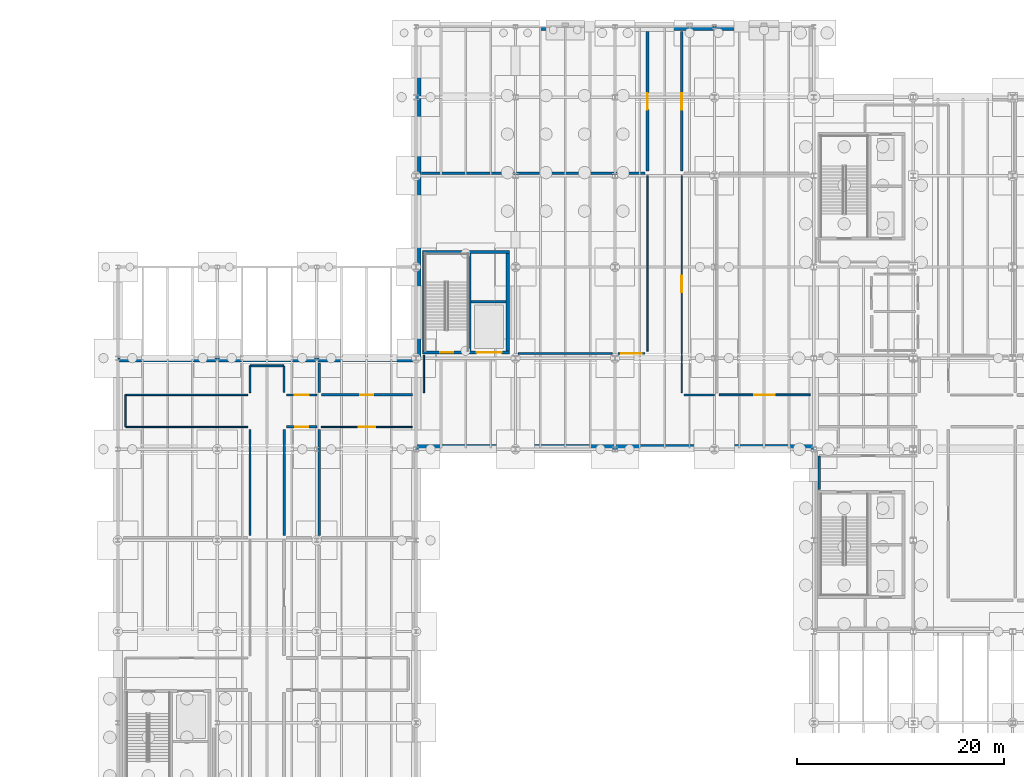
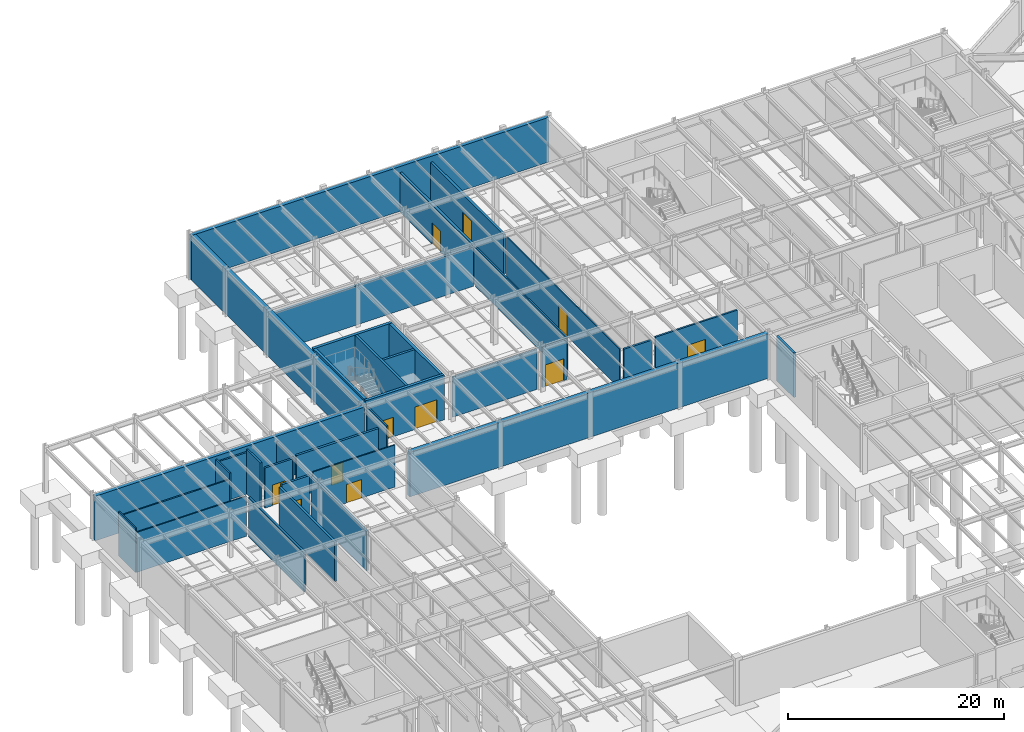
# One storey, part 34 of 48: 35 walls, 11 doors, 11 openings.
"""IFC4 building model written with IfcOpenShell, lengths in metres."""

import ifcopenshell
import ifcopenshell.guid

model = None  # the IFC model being written
_history = None  # IfcOwnerHistory: only IFC2X3 demands one
_inside = {}  # id of a spatial element -> (the spatial element, [elements in it])
_under = {}  # id of a project, library or spatial element -> (it, [spatial elements below it])
_declared = {}  # id of a project -> (the project, [libraries it declares])
_typed = {}  # id of a type object -> (the type object, [elements of that type])
_made_of = {}  # id of a material, layer set ... -> (it, [elements and type objects made of it])


def new_model(schema):
    """Start an empty IFC model of exactly this schema.

    Asked for "IFC4X3", IfcOpenShell would pick the latest addendum, in which some entities
    have other attributes; the version numbers below select the first issue.
    IFC2X3 requires an IfcOwnerHistory on every rooted entity: one is made here for all.
    """
    global model, _history
    if schema == "IFC4X3":
        model = ifcopenshell.file(schema_version=(4, 3, 0, 0))
    else:
        model = ifcopenshell.file(schema=schema)
    _inside.clear()
    _under.clear()
    _declared.clear()
    _typed.clear()
    _made_of.clear()
    _history = None
    if model.schema == "IFC2X3":
        org = make("IfcOrganization", Name="unknown")
        user = make(
            "IfcPersonAndOrganization",
            ThePerson=make("IfcPerson", FamilyName="unknown"),
            TheOrganization=org,
        )
        app = make(
            "IfcApplication",
            ApplicationDeveloper=org,
            Version="unknown",
            ApplicationFullName="unknown",
            ApplicationIdentifier="unknown",
        )
        _history = make(
            "IfcOwnerHistory",
            OwningUser=user,
            OwningApplication=app,
            ChangeAction="ADDED",
            CreationDate=0,
        )
    return model


def make(cls, **values):
    """One entity of the class cls with the attributes given. An attribute that is None is left unset."""
    return model.create_entity(
        cls, **{name: value for name, value in values.items() if value is not None}
    )


def rooted(cls, **values):
    """An entity with a GlobalId (a new one), such as an element, a storey or a relation."""
    return make(cls, GlobalId=ifcopenshell.guid.new(), OwnerHistory=_history, **values)


def si_unit(unit_type, name, prefix=None):
    """IfcSIUnit, for example si_unit("LENGTHUNIT", "METRE", prefix="MILLI")."""
    return make("IfcSIUnit", UnitType=unit_type, Prefix=prefix, Name=name)


def assignment(units):
    """IfcUnitAssignment: the units of a project."""
    return None if units is None else make("IfcUnitAssignment", Units=units)


def point(xyz):
    """IfcCartesianPoint."""
    return None if xyz is None else make("IfcCartesianPoint", Coordinates=xyz)


def direction(xyz):
    """IfcDirection."""
    return None if xyz is None else make("IfcDirection", DirectionRatios=xyz)


def frame(location, z_axis=None, x_axis=None):
    """IfcAxis2Placement3D, a coordinate frame: its origin and axes. An axis left out is left unset."""
    return make(
        "IfcAxis2Placement3D",
        Location=point(location),
        Axis=direction(z_axis),
        RefDirection=direction(x_axis),
    )


def frame_2d(location, x_axis=None):
    """IfcAxis2Placement2D, a coordinate frame in the plane: its origin and x axis."""
    return make(
        "IfcAxis2Placement2D", Location=point(location), RefDirection=direction(x_axis)
    )


def origin():
    """The frame at (0, 0, 0) with its axes left unset."""
    return frame((0.0, 0.0, 0.0))


def place(relative_to, where):
    """IfcLocalPlacement: puts the frame where relative to a parent placement (None: the world)."""
    return make(
        "IfcLocalPlacement", PlacementRelTo=relative_to, RelativePlacement=where
    )


def context(
    kind, dimensions, precision=None, world=None, true_north=None, identifier=None
):
    """IfcGeometricRepresentationContext, for example the 3D "Model" context."""
    return make(
        "IfcGeometricRepresentationContext",
        ContextIdentifier=identifier,
        ContextType=kind,
        CoordinateSpaceDimension=dimensions,
        Precision=precision,
        WorldCoordinateSystem=world,
        TrueNorth=true_north,
    )


def subcontext(parent, identifier, kind, view, scale=None):
    """IfcGeometricRepresentationSubContext, for example "Body" below "Model"."""
    return make(
        "IfcGeometricRepresentationSubContext",
        ContextIdentifier=identifier,
        ContextType=kind,
        ParentContext=parent,
        TargetScale=scale,
        TargetView=view,
    )


def project(units=None, contexts=None):
    """IfcProject with its units and contexts."""
    return rooted(
        "IfcProject",
        Name="project",
        RepresentationContexts=contexts,
        UnitsInContext=assignment(units),
    )


def spatial(cls, under=None, at=None, **own):
    """A site, building, storey or space (cls), placed at a placement, below another one or the project."""
    s = rooted(cls, ObjectPlacement=at, **own)
    if under is not None:
        _under.setdefault(under.id(), (under, []))[1].append(s)
    return s


def profile(cls, at=None, kind="AREA", **sizes):
    """A parametric profile (cls). Its sizes go by their IFC names, for example OverallWidth=200.0."""
    return make(cls, ProfileType=kind, Position=at, **sizes)


def rectangle(**sizes):
    """IfcRectangleProfileDef."""
    return profile("IfcRectangleProfileDef", **sizes)


def extrude(swept, where, along, depth):
    """IfcExtrudedAreaSolid: the profile swept, set in the frame where, extruded along a direction by depth."""
    return make(
        "IfcExtrudedAreaSolid",
        SweptArea=swept,
        Position=where,
        ExtrudedDirection=direction(along),
        Depth=depth,
    )


def shape(context_of_items, identifier, shape_type, items):
    """IfcShapeRepresentation: the items that make up one representation, for example the "Body"."""
    return make(
        "IfcShapeRepresentation",
        ContextOfItems=context_of_items,
        RepresentationIdentifier=identifier,
        RepresentationType=shape_type,
        Items=items,
    )


def material(Name=None, Category=None):
    """IfcMaterial."""
    return make("IfcMaterial", Name=Name, Category=Category)


def layer(
    of_material, thickness, ventilated=None, Name=None, Category=None, Priority=None
):
    """IfcMaterialLayer: one layer of a wall or slab, of a material (None: an air gap)."""
    return make(
        "IfcMaterialLayer",
        Material=of_material,
        LayerThickness=thickness,
        IsVentilated=ventilated,
        Name=Name,
        Category=Category,
        Priority=Priority,
    )


def layer_set(layers, Name=None):
    """IfcMaterialLayerSet."""
    return make("IfcMaterialLayerSet", MaterialLayers=layers, LayerSetName=Name)


def made_of(thing, what):
    """Note that an element or type object is made of a material, layer set ...; save() writes the relation."""
    if what is not None:
        _made_of.setdefault(what.id(), (what, []))[1].append(thing)
    return thing


def type_object(cls, material=None, **own):
    """A type object (cls), such as IfcWallType, which elements share."""
    return made_of(rooted(cls, **own), material)


def element(
    cls,
    number,
    at=None,
    inside=None,
    cuts=None,
    type_object=None,
    material=None,
    context=None,
    identifier="Body",
    shape_type=None,
    held_by="IfcProductDefinitionShape",
    body=None,
    shapes=None,
    **own,
):
    """One element of the class cls, such as IfcWall. Its Tag is "e" and its number.

    at: its placement. inside: the storey or other place that contains it. cuts: it is an
    opening in that element (IfcRelVoidsElement). A single representation is given by context,
    identifier, shape_type and body (its items); several are given by shapes. held_by: the class
    of the entity that holds the representations. save() writes the other relations.
    """
    e = rooted(cls, Tag="e%d" % number, ObjectPlacement=at, **own)
    if body is not None:
        shapes = [shape(context, identifier, shape_type, body)]
    if shapes is not None:
        e.Representation = make(held_by, Representations=shapes)
    if inside is not None:
        _inside.setdefault(inside.id(), (inside, []))[1].append(e)
    if cuts is not None:
        rooted(
            "IfcRelVoidsElement", RelatingBuildingElement=cuts, RelatedOpeningElement=e
        )
    if type_object is not None:
        _typed.setdefault(type_object.id(), (type_object, []))[1].append(e)
    return made_of(e, material)


def fill(opening, filler):
    """IfcRelFillsElement: the door or window that sits in an opening."""
    return rooted(
        "IfcRelFillsElement",
        RelatingOpeningElement=opening,
        RelatedBuildingElement=filler,
    )


def aggregate(whole, parts):
    """IfcRelAggregates: a whole, such as a stair, and the parts it consists of."""
    return rooted("IfcRelAggregates", RelatingObject=whole, RelatedObjects=parts)


def save(model, path):
    """Write the relations noted so far, then the file.

    IfcRelAggregates (storeys below a building ...), IfcRelContainedInSpatialStructure (elements
    in a storey), IfcRelDefinesByType, IfcRelAssociatesMaterial and IfcRelDeclares: one each for
    every whole, place, type object, material and project.
    """
    for whole, parts in _under.values():
        aggregate(whole, parts)
    for where, things in _inside.values():
        rooted(
            "IfcRelContainedInSpatialStructure",
            RelatedElements=things,
            RelatingStructure=where,
        )
    for kind, things in _typed.values():
        rooted("IfcRelDefinesByType", RelatedObjects=things, RelatingType=kind)
    for what, things in _made_of.values():
        rooted("IfcRelAssociatesMaterial", RelatedObjects=things, RelatingMaterial=what)
    for by, libraries in _declared.values():
        rooted("IfcRelDeclares", RelatingContext=by, RelatedDefinitions=libraries)
    model.write(path)


model = new_model("IFC4")

# Units and contexts
model_context = context("Model", 3, precision=1e-05, world=origin(), true_north=direction((0.0, 1.0)))
body_context = subcontext(model_context, "Body", "Model", "MODEL_VIEW")
ifc_project = project(units=[si_unit("LENGTHUNIT", "METRE"), si_unit("AREAUNIT", "SQUARE_METRE"), si_unit("VOLUMEUNIT", "CUBIC_METRE"), si_unit("PLANEANGLEUNIT", "RADIAN"), si_unit("MASSUNIT", "GRAM", prefix="KILO")], contexts=[model_context])

# Site, building, storey
site_placement = place(None, origin())
site = spatial("IfcSite", under=ifc_project, at=site_placement, CompositionType="ELEMENT")
building_placement = place(site_placement, origin())
building = spatial("IfcBuilding", under=site, at=building_placement, Name="Sarnbrook Museum", CompositionType="ELEMENT")
storey_placement = place(building_placement, frame((0.0, 0.0, -5.39990234375)))
storey = spatial("IfcBuildingStorey", under=building, at=storey_placement, Name="B1", CompositionType="ELEMENT", Elevation=-5.39990234375)

# Wall, openings, doors
ifc_material_1 = material(Name="Concrete N50 (AS 3600, f'c = 50 MPa)", Category="concrete")
ifc_layer_1 = layer(ifc_material_1, 0.300048828125)
ifc_layer_set_1 = layer_set([ifc_layer_1], Name="Concrete N50 (AS 3600, f'c = 50 MPa)")
wall_type_1 = type_object("IfcWallType", Name="CoreWall_CWRC", PredefinedType="SHEAR", material=ifc_layer_set_1)
wall_1_placement = place(storey_placement, frame((43.0, 83.75, 0.0), z_axis=(0.0, 0.0, 1.0), x_axis=(1.0, 0.0, 0.0)))
wall_1 = element("IfcWall", 1, at=wall_1_placement, inside=storey, type_object=wall_type_1, Name="Core C6 Shear Wall S B1", PredefinedType="SHEAR", context=body_context, shape_type="SweptSolid", body=[
    extrude(rectangle(XDim=8.39990234375, YDim=0.300048828125, at=frame_2d((4.199951171875, 0.0))), origin(), (0.0, 0.0, 1.0), 5.0849609375),
])
opening_1_placement = place(wall_1_placement, frame((1.715087890625, 0.0, 0.0)))
opening_1 = element("IfcOpeningElement", 2, at=opening_1_placement, cuts=wall_1, Name="Opening D-ST-ST6-B1", PredefinedType="OPENING", context=body_context, shape_type="SweptSolid", body=[
    extrude(rectangle(XDim=1.25, YDim=2.199951171875, at=frame_2d((0.625, 1.10009765625))), frame((0.0, 0.16015625, 0.0), z_axis=(0.0, -1.0, 0.0), x_axis=(1.0, 0.0, 0.0)), (0.0, 0.0, 1.0), 0.320068359375),
])
opening_2_placement = place(wall_1_placement, frame((5.25, 0.0, 0.0)))
opening_2 = element("IfcOpeningElement", 3, at=opening_2_placement, cuts=wall_1, Name="Opening LD-GL2-B1", PredefinedType="OPENING", context=body_context, shape_type="SweptSolid", body=[
    extrude(rectangle(XDim=2.39990234375, YDim=2.550048828125, at=frame_2d((1.199951171875, 1.27490234375))), frame((0.0, 0.16015625, 0.0), z_axis=(0.0, -1.0, 0.0), x_axis=(1.0, 0.0, 0.0)), (0.0, 0.0, 1.0), 0.320068359375),
])
ifc_material_2 = material(Name="Tasmanian Oak Acoustic Timber", Category="wood")
door_type_1 = type_object("IfcDoorType", Name="FireDoor_FD120", OperationType="NOTDEFINED", PredefinedType="DOOR", material=ifc_material_2)
door_1_placement = place(opening_1_placement, origin())
door_1 = element("IfcDoor", 4, at=door_1_placement, inside=storey, type_object=door_type_1, Name="Exit Stair ST6 Fire Door B1", OperationType="SINGLE_SWING_RIGHT", OverallHeight=2.199951171875, OverallWidth=1.25, PredefinedType="DOOR", context=body_context, shape_type="SweptSolid", body=[
    extrude(rectangle(XDim=1.25, YDim=2.199951171875, at=frame_2d((0.625, 1.10009765625))), frame((0.0, 0.02490234375, 0.0), z_axis=(0.0, -1.0, 0.0), x_axis=(1.0, 0.0, 0.0)), (0.0, 0.0, 1.0), 0.050048828125),
])
fill(opening_1, door_1)
ifc_material_3 = material(Name="Brushed Stainless Steel Grade 316", Category="steel")
door_type_2 = type_object("IfcDoorType", Name="LiftDoor_Goods240", OperationType="DOUBLE_DOOR_SLIDING", PredefinedType="DOOR", material=ifc_material_3)
door_2_placement = place(opening_2_placement, origin())
door_2 = element("IfcDoor", 5, at=door_2_placement, inside=storey, type_object=door_type_2, Name="Lift Landing Sliding Door LD-GL2-B1", OperationType="DOUBLE_DOOR_SLIDING", OverallHeight=2.550048828125, OverallWidth=2.39990234375, PredefinedType="DOOR", context=body_context, shape_type="SweptSolid", body=[
    extrude(rectangle(XDim=2.39990234375, YDim=2.550048828125, at=frame_2d((1.199951171875, 1.27490234375))), frame((0.0, 0.02490234375, 0.0), z_axis=(0.0, -1.0, 0.0), x_axis=(1.0, 0.0, 0.0)), (0.0, 0.0, 1.0), 0.050048828125),
])
fill(opening_2, door_2)

# Walls
wall_2_placement = place(storey_placement, frame((51.39990234375, 93.449951171875, 0.0), z_axis=(0.0, 0.0, 1.0), x_axis=(-1.0, 0.0, 0.0)))
element("IfcWall", 6, at=wall_2_placement, inside=storey, type_object=wall_type_1, Name="Core C6 Shear Wall N B1", PredefinedType="SHEAR", context=body_context, shape_type="SweptSolid", body=[
    extrude(rectangle(XDim=8.39990234375, YDim=0.300048828125, at=frame_2d((4.199951171875, 0.0))), origin(), (0.0, 0.0, 1.0), 5.0849609375),
])
for number, where, z_axis, x_axis, name in (
    (7, (51.25, 83.909912109375, 0.0), (0.0, 0.0, 1.0), (0.0, 1.0, 0.0), "Core C6 Shear Wall E B1"),
    (8, (43.14990234375, 93.2900390625, 0.0), (0.0, 0.0, 1.0), (0.0, -1.0, 0.0), "Core C6 Shear Wall W B1"),
):
    element("IfcWall", number, at=place(storey_placement, frame(where, z_axis=z_axis, x_axis=x_axis)), inside=storey, type_object=wall_type_1, Name=name, PredefinedType="SHEAR", context=body_context, shape_type="SweptSolid", body=[
        extrude(rectangle(XDim=9.380126953125, YDim=0.300048828125, at=frame_2d((4.68994140625, 0.0))), origin(), (0.0, 0.0, 1.0), 5.0849609375),
    ])

# Wall, opening, door
ifc_material_4 = material(Name="Concrete N40 (AS 3600, f'c = 40 MPa)", Category="concrete")
ifc_layer_2 = layer(ifc_material_4, 0.260009765625)
ifc_layer_set_2 = layer_set([ifc_layer_2], Name="Concrete N40 (AS 3600, f'c = 40 MPa)")
wall_type_2 = type_object("IfcWallType", Name="FireWall_FW240", PredefinedType="SOLIDWALL", material=ifc_layer_set_2)
wall_3_placement = place(storey_placement, frame((64.75, 114.739990234375, 0.0), z_axis=(0.0, 0.0, 1.0), x_axis=(0.0, -1.0, 0.0)))
wall_3 = element("IfcWall", 9, at=wall_3_placement, inside=storey, type_object=wall_type_2, Name="Interior Partition Wall B1-0096", PredefinedType="SOLIDWALL", context=body_context, shape_type="SweptSolid", body=[
    extrude(rectangle(XDim=13.489990234375, YDim=0.260009765625, at=frame_2d((6.7451171875, 0.0))), origin(), (0.0, 0.0, 1.0), 4.447998046875),
])
opening_3_placement = place(wall_3_placement, frame((5.945068359375, 0.0, 0.0)))
opening_3 = element("IfcOpeningElement", 10, at=opening_3_placement, cuts=wall_3, Name="Opening D-B1-033", PredefinedType="OPENING", context=body_context, shape_type="SweptSolid", body=[
    extrude(rectangle(XDim=1.60009765625, YDim=2.39990234375, at=frame_2d((0.800048828125, 1.199951171875))), frame((0.0, 0.14013671875, 0.0), z_axis=(0.0, -1.0, 0.0), x_axis=(1.0, 0.0, 0.0)), (0.0, 0.0, 1.0), 0.280029296875),
])
ifc_material_5 = material(Name="Patinated Architectural Bronze")
door_type_3 = type_object("IfcDoorType", Name="FireDoor_FD240", OperationType="NOTDEFINED", PredefinedType="DOOR", material=ifc_material_5)
door_3_placement = place(opening_3_placement, origin())
door_3 = element("IfcDoor", 11, at=door_3_placement, inside=storey, type_object=door_type_3, Name="Collection Archive Vault B1-29 Door D-B1-033", OperationType="DOUBLE_DOOR_SINGLE_SWING", OverallHeight=2.39990234375, OverallWidth=1.60009765625, PredefinedType="DOOR", context=body_context, shape_type="SweptSolid", body=[
    extrude(rectangle(XDim=1.60009765625, YDim=2.39990234375, at=frame_2d((0.800048828125, 1.199951171875))), frame((0.0, 0.02490234375, 0.0), z_axis=(0.0, -1.0, 0.0), x_axis=(1.0, 0.0, 0.0)), (0.0, 0.0, 1.0), 0.050048828125),
])
fill(opening_3, door_3)

wall_4_placement = place(storey_placement, frame((68.050048828125, 101.25, 0.0), z_axis=(0.0, 0.0, 1.0), x_axis=(0.0, 1.0, 0.0)))
wall_4 = element("IfcWall", 12, at=wall_4_placement, inside=storey, type_object=wall_type_2, Name="Interior Partition Wall B1-0099", PredefinedType="SOLIDWALL", context=body_context, shape_type="SweptSolid", body=[
    extrude(rectangle(XDim=13.489990234375, YDim=0.260009765625, at=frame_2d((6.7451171875, 0.0))), origin(), (0.0, 0.0, 1.0), 4.447998046875),
])
opening_4_placement = place(wall_4_placement, frame((5.945068359375, 0.0, 0.0)))
opening_4 = element("IfcOpeningElement", 13, at=opening_4_placement, cuts=wall_4, Name="Opening D-B1-035", PredefinedType="OPENING", context=body_context, shape_type="SweptSolid", body=[
    extrude(rectangle(XDim=1.60009765625, YDim=2.39990234375, at=frame_2d((0.800048828125, 1.199951171875))), frame((0.0, 0.14013671875, 0.0), z_axis=(0.0, -1.0, 0.0), x_axis=(1.0, 0.0, 0.0)), (0.0, 0.0, 1.0), 0.280029296875),
])
door_4_placement = place(opening_4_placement, frame((1.60009765625, 0.0, 0.0), z_axis=(0.0, 0.0, 1.0), x_axis=(-1.0, 0.0, 0.0)))
door_4 = element("IfcDoor", 14, at=door_4_placement, inside=storey, type_object=door_type_3, Name="Collection Archive Vault B1-31 Door D-B1-035", OperationType="DOUBLE_DOOR_SINGLE_SWING", OverallHeight=2.39990234375, OverallWidth=1.60009765625, PredefinedType="DOOR", context=body_context, shape_type="SweptSolid", body=[
    extrude(rectangle(XDim=1.60009765625, YDim=2.39990234375, at=frame_2d((0.800048828125, 1.199951171875))), frame((0.0, 0.02490234375, 0.0), z_axis=(0.0, -1.0, 0.0), x_axis=(1.0, 0.0, 0.0)), (0.0, 0.0, 1.0), 0.050048828125),
])
fill(opening_4, door_4)

# Walls
wall_5_placement = place(storey_placement, frame((42.929931640625, 101.06005859375, 0.0), z_axis=(0.0, 0.0, 1.0), x_axis=(1.0, 0.0, 0.0)))
element("IfcWall", 15, at=wall_5_placement, inside=storey, type_object=wall_type_2, Name="Interior Partition Wall B1-0134", PredefinedType="SOLIDWALL", context=body_context, shape_type="SweptSolid", body=[
    extrude(rectangle(XDim=21.590087890625, YDim=0.260009765625, at=frame_2d((10.794921875, 0.0))), origin(), (0.0, 0.0, 1.0), 4.447998046875),
])
ifc_material_6 = material(Name="Fire-Rated Acoustic Gypsum Plasterboard")
ifc_layer_3 = layer(ifc_material_6, 0.1201171875)
ifc_layer_set_3 = layer_set([ifc_layer_3], Name="Fire-Rated Acoustic Gypsum Plasterboard")
wall_type_3 = type_object("IfcWallType", Name="PartWall_P120", PredefinedType="PARTITIONING", material=ifc_layer_set_3)
wall_6_placement = place(storey_placement, frame((14.360107421875, 76.550048828125, 0.0), z_axis=(0.0, 0.0, 1.0), x_axis=(1.0, 0.0, 0.0)))
element("IfcWall", 16, at=wall_6_placement, inside=storey, type_object=wall_type_3, Name="Interior Partition Wall B1-0076", PredefinedType="PARTITIONING", context=body_context, shape_type="SweptSolid", body=[
    extrude(rectangle(XDim=11.760009765625, YDim=0.1201171875, at=frame_2d((5.8798828125, 0.0))), origin(), (0.0, 0.0, 1.0), 4.536865234375),
])

# Wall, opening, door
wall_7_placement = place(storey_placement, frame((33.25, 76.550048828125, 0.0), z_axis=(0.0, 0.0, 1.0), x_axis=(1.0, 0.0, 0.0)))
wall_7 = element("IfcWall", 17, at=wall_7_placement, inside=storey, type_object=wall_type_3, Name="Interior Partition Wall B1-0090", PredefinedType="PARTITIONING", context=body_context, shape_type="SweptSolid", body=[
    extrude(rectangle(XDim=8.7900390625, YDim=0.1201171875, at=frame_2d((4.39501953125, 0.0))), origin(), (0.0, 0.0, 1.0), 4.762939453125),
])
opening_5_placement = place(wall_7_placement, frame((3.594970703125, 0.0, 0.0)))
opening_5 = element("IfcOpeningElement", 18, at=opening_5_placement, cuts=wall_7, Name="Opening D-B1-030", PredefinedType="OPENING", context=body_context, shape_type="SweptSolid", body=[
    extrude(rectangle(XDim=1.60009765625, YDim=2.10009765625, at=frame_2d((0.800048828125, 1.050048828125))), frame((0.0, 0.070068359375, 0.0), z_axis=(0.0, -1.0, 0.0), x_axis=(1.0, 0.0, 0.0)), (0.0, 0.0, 1.0), 0.14013671875),
])
door_type_4 = type_object("IfcDoorType", Name="ServiceGate_G1", OperationType="NOTDEFINED", PredefinedType="GATE", material=ifc_material_5)
door_5_placement = place(opening_5_placement, frame((1.60009765625, 0.0, 0.0), z_axis=(0.0, 0.0, 1.0), x_axis=(-1.0, 0.0, 0.0)))
door_5 = element("IfcDoor", 19, at=door_5_placement, inside=storey, type_object=door_type_4, Name="Conservation Prep Workshop B1-26 Door D-B1-030", OperationType="DOUBLE_DOOR_SINGLE_SWING", OverallHeight=2.10009765625, OverallWidth=1.60009765625, PredefinedType="GATE", context=body_context, shape_type="SweptSolid", body=[
    extrude(rectangle(XDim=1.60009765625, YDim=2.10009765625, at=frame_2d((0.800048828125, 1.050048828125))), frame((0.0, 0.02490234375, 0.0), z_axis=(0.0, -1.0, 0.0), x_axis=(1.0, 0.0, 0.0)), (0.0, 0.0, 1.0), 0.050048828125),
])
fill(opening_5, door_5)

wall_8_placement = place(storey_placement, frame((68.050048828125, 79.8798828125, 0.0), z_axis=(0.0, 0.0, 1.0), x_axis=(0.0, 1.0, 0.0)))
wall_8 = element("IfcWall", 20, at=wall_8_placement, inside=storey, type_object=wall_type_3, Name="Interior Partition Wall B1-0097", PredefinedType="PARTITIONING", context=body_context, shape_type="SweptSolid", body=[
    extrude(rectangle(XDim=20.9501953125, YDim=0.1201171875, at=frame_2d((10.47509765625, 0.0))), origin(), (0.0, 0.0, 1.0), 4.447998046875),
])
opening_6_placement = place(wall_8_placement, frame((9.699951171875, 0.0, 0.0)))
opening_6 = element("IfcOpeningElement", 21, at=opening_6_placement, cuts=wall_8, Name="Opening D-B1-034", PredefinedType="OPENING", context=body_context, shape_type="SweptSolid", body=[
    extrude(rectangle(XDim=1.550048828125, YDim=2.580078125, at=frame_2d((0.77490234375, 1.2900390625))), frame((0.0, 0.070068359375, 0.0), z_axis=(0.0, -1.0, 0.0), x_axis=(1.0, 0.0, 0.0)), (0.0, 0.0, 1.0), 0.14013671875),
])
door_type_5 = type_object("IfcDoorType", Name="IntDoor_DT34", OperationType="NOTDEFINED", PredefinedType="DOOR", material=ifc_material_2)
door_6_placement = place(opening_6_placement, frame((1.550048828125, 0.0, 0.0), z_axis=(0.0, 0.0, 1.0), x_axis=(-1.0, 0.0, 0.0)))
door_6 = element("IfcDoor", 22, at=door_6_placement, inside=storey, type_object=door_type_5, Name="Conservation Science Laboratory B1-30 Door D-B1-034", OperationType="SINGLE_SWING_RIGHT", OverallHeight=2.580078125, OverallWidth=1.550048828125, PredefinedType="DOOR", context=body_context, shape_type="SweptSolid", body=[
    extrude(rectangle(XDim=1.550048828125, YDim=2.580078125, at=frame_2d((0.77490234375, 1.2900390625))), frame((0.0, 0.02490234375, 0.0), z_axis=(0.0, -1.0, 0.0), x_axis=(1.0, 0.0, 0.0)), (0.0, 0.0, 1.0), 0.050048828125),
])
fill(opening_6, door_6)

# Walls
ifc_layer_4 = layer(ifc_material_6, 0.135009765625)
ifc_layer_set_4 = layer_set([ifc_layer_4], Name="Fire-Rated Acoustic Gypsum Plasterboard")
wall_type_4 = type_object("IfcWallType", Name="PartWall_P135", PredefinedType="PARTITIONING", material=ifc_layer_set_4)
wall_9_placement = place(storey_placement, frame((14.35009765625, 79.639892578125, 0.0), z_axis=(0.0, 0.0, 1.0), x_axis=(0.0, -1.0, 0.0)))
element("IfcWall", 23, at=wall_9_placement, inside=storey, type_object=wall_type_4, Name="Interior Partition Wall B1-0075", PredefinedType="PARTITIONING", context=body_context, shape_type="SweptSolid", body=[
    extrude(rectangle(XDim=3.079833984375, YDim=0.135009765625, at=frame_2d((1.5400390625, 0.0))), origin(), (0.0, 0.0, 1.0), 5.02978515625),
])
ifc_layer_5 = layer(ifc_material_6, 0.14990234375)
ifc_layer_set_5 = layer_set([ifc_layer_5], Name="Fire-Rated Acoustic Gypsum Plasterboard")
wall_type_5 = type_object("IfcWallType", Name="PartWall_P150", PredefinedType="PARTITIONING", material=ifc_layer_set_5)
wall_10_placement = place(storey_placement, frame((26.1201171875, 79.64990234375, 0.0), z_axis=(0.0, 0.0, 1.0), x_axis=(-1.0, 0.0, 0.0)))
element("IfcWall", 24, at=wall_10_placement, inside=storey, type_object=wall_type_5, Name="Interior Partition Wall B1-0074", PredefinedType="PARTITIONING", context=body_context, shape_type="SweptSolid", body=[
    extrude(rectangle(XDim=11.760009765625, YDim=0.14990234375, at=frame_2d((5.8798828125, 0.0))), origin(), (0.0, 0.0, 1.0), 4.536865234375),
])
wall_11_placement = place(storey_placement, frame((64.75, 100.830078125, 0.0), z_axis=(0.0, 0.0, 1.0), x_axis=(0.0, -1.0, 0.0)))
element("IfcWall", 25, at=wall_11_placement, inside=storey, type_object=wall_type_5, Name="Interior Partition Wall B1-0095", PredefinedType="PARTITIONING", context=body_context, shape_type="SweptSolid", body=[
    extrude(rectangle(XDim=16.9501953125, YDim=0.14990234375, at=frame_2d((8.47509765625, 0.0))), origin(), (0.0, 0.0, 1.0), 4.447998046875),
])
ifc_layer_6 = layer(ifc_material_6, 0.1650390625)
ifc_layer_set_6 = layer_set([ifc_layer_6], Name="Fire-Rated Acoustic Gypsum Plasterboard")
wall_type_6 = type_object("IfcWallType", Name="PartWall_P165", PredefinedType="PARTITIONING", material=ifc_layer_set_6)
wall_12_placement = place(storey_placement, frame((26.35009765625, 82.43994140625, 0.0), z_axis=(0.0, 0.0, 1.0), x_axis=(0.0, -1.0, 0.0)))
element("IfcWall", 26, at=wall_12_placement, inside=storey, type_object=wall_type_6, Name="Interior Partition Wall B1-0073", PredefinedType="PARTITIONING", context=body_context, shape_type="SweptSolid", body=[
    extrude(rectangle(XDim=2.56005859375, YDim=0.1650390625, at=frame_2d((1.280029296875, 0.0))), origin(), (0.0, 0.0, 1.0), 5.02978515625),
])
wall_13_placement = place(storey_placement, frame((43.14990234375, 83.47998046875, 0.0), z_axis=(0.0, 0.0, 1.0), x_axis=(0.0, -1.0, 0.0)))
element("IfcWall", 27, at=wall_13_placement, inside=storey, type_object=wall_type_6, Name="Interior Partition Wall B1-0094", PredefinedType="PARTITIONING", context=body_context, shape_type="SweptSolid", body=[
    extrude(rectangle(XDim=3.60009765625, YDim=0.1650390625, at=frame_2d((1.800048828125, 0.0))), origin(), (0.0, 0.0, 1.0), 4.447998046875),
])
ifc_layer_7 = layer(ifc_material_6, 0.179931640625)
ifc_layer_set_7 = layer_set([ifc_layer_7], Name="Fire-Rated Acoustic Gypsum Plasterboard")
wall_type_7 = type_object("IfcWallType", Name="PartWall_P180", PredefinedType="PARTITIONING", material=ifc_layer_set_7)
wall_14_placement = place(storey_placement, frame((29.639892578125, 82.449951171875, 0.0), z_axis=(0.0, 0.0, 1.0), x_axis=(-1.0, 0.0, 0.0)))
element("IfcWall", 28, at=wall_14_placement, inside=storey, type_object=wall_type_7, Name="Interior Partition Wall B1-0072", PredefinedType="PARTITIONING", context=body_context, shape_type="SweptSolid", body=[
    extrude(rectangle(XDim=3.27978515625, YDim=0.179931640625, at=frame_2d((1.639892578125, 0.0))), origin(), (0.0, 0.0, 1.0), 4.7138671875),
])
wall_15_placement = place(storey_placement, frame((61.315185546875, 83.64990234375, 0.0), z_axis=(0.0, 0.0, 1.0), x_axis=(-1.0, 0.0, 0.0)))
element("IfcWall", 29, at=wall_15_placement, inside=storey, type_object=wall_type_7, Name="Interior Partition Wall B1-0093", PredefinedType="PARTITIONING", context=body_context, shape_type="SweptSolid", body=[
    extrude(rectangle(XDim=9.030517578125, YDim=0.179931640625, at=frame_2d((4.51513671875, 0.0))), origin(), (0.0, 0.0, 1.0), 4.52685546875),
])

# Wall, opening, door
wall_16_placement = place(storey_placement, frame((80.43994140625, 79.64990234375, 0.0), z_axis=(0.0, 0.0, 1.0), x_axis=(-1.0, 0.0, 0.0)))
wall_16 = element("IfcWall", 30, at=wall_16_placement, inside=storey, type_object=wall_type_7, Name="Interior Partition Wall B1-0100", PredefinedType="PARTITIONING", context=body_context, shape_type="SweptSolid", body=[
    extrude(rectangle(XDim=8.7900390625, YDim=0.179931640625, at=frame_2d((4.39501953125, 0.0))), origin(), (0.0, 0.0, 1.0), 4.703857421875),
])
opening_7_placement = place(wall_16_placement, frame((3.419921875, 0.0, 0.0)))
opening_7 = element("IfcOpeningElement", 31, at=opening_7_placement, cuts=wall_16, Name="Opening D-B1-036", PredefinedType="OPENING", context=body_context, shape_type="SweptSolid", body=[
    extrude(rectangle(XDim=1.949951171875, YDim=2.580078125, at=frame_2d((0.97509765625, 1.2900390625))), frame((0.0, 0.10009765625, 0.0), z_axis=(0.0, -1.0, 0.0), x_axis=(1.0, 0.0, 0.0)), (0.0, 0.0, 1.0), 0.199951171875),
])
door_type_6 = type_object("IfcDoorType", Name="IntDoor_DT36", OperationType="NOTDEFINED", PredefinedType="DOOR", material=ifc_material_2)
door_7_placement = place(opening_7_placement, origin())
door_7 = element("IfcDoor", 32, at=door_7_placement, inside=storey, type_object=door_type_6, Name="Conservation Science Laboratory B1-32 Door D-B1-036", OperationType="DOUBLE_DOOR_SINGLE_SWING", OverallHeight=2.580078125, OverallWidth=1.949951171875, PredefinedType="DOOR", context=body_context, shape_type="SweptSolid", body=[
    extrude(rectangle(XDim=1.949951171875, YDim=2.580078125, at=frame_2d((0.97509765625, 1.2900390625))), frame((0.0, 0.02490234375, 0.0), z_axis=(0.0, -1.0, 0.0), x_axis=(1.0, 0.0, 0.0)), (0.0, 0.0, 1.0), 0.050048828125),
])
fill(opening_7, door_7)

# Wall
ifc_layer_8 = layer(ifc_material_6, 0.195068359375)
ifc_layer_set_8 = layer_set([ifc_layer_8], Name="Fire-Rated Acoustic Gypsum Plasterboard")
wall_type_8 = type_object("IfcWallType", Name="PartWall_P195", PredefinedType="PARTITIONING", material=ifc_layer_set_8)
wall_17_placement = place(storey_placement, frame((29.64990234375, 79.8798828125, 0.0), z_axis=(0.0, 0.0, 1.0), x_axis=(0.0, 1.0, 0.0)))
element("IfcWall", 33, at=wall_17_placement, inside=storey, type_object=wall_type_8, Name="Interior Partition Wall B1-0071", PredefinedType="PARTITIONING", context=body_context, shape_type="SweptSolid", body=[
    extrude(rectangle(XDim=2.56005859375, YDim=0.195068359375, at=frame_2d((1.280029296875, 0.0))), origin(), (0.0, 0.0, 1.0), 5.02978515625),
])

# Wall, opening, door
wall_18_placement = place(storey_placement, frame((64.52001953125, 83.64990234375, 0.0), z_axis=(0.0, 0.0, 1.0), x_axis=(-1.0, 0.0, 0.0)))
wall_18 = element("IfcWall", 34, at=wall_18_placement, inside=storey, type_object=wall_type_8, Name="Interior Partition Wall B1-0092", PredefinedType="PARTITIONING", context=body_context, shape_type="SweptSolid", body=[
    extrude(rectangle(XDim=2.63525390625, YDim=0.195068359375, at=frame_2d((1.317626953125, 0.0))), origin(), (0.0, 0.0, 1.0), 4.52685546875),
])
opening_8_placement = place(wall_18_placement, frame((0.337646484375, 0.0, 0.0)))
opening_8 = element("IfcOpeningElement", 35, at=opening_8_placement, cuts=wall_18, Name="Opening D-B1-032", PredefinedType="OPENING", context=body_context, shape_type="SweptSolid", body=[
    extrude(rectangle(XDim=1.9599609375, YDim=2.4599609375, at=frame_2d((0.97998046875, 1.22998046875))), frame((0.0, 0.107421875, 0.0), z_axis=(0.0, -1.0, 0.0), x_axis=(1.0, 0.0, 0.0)), (0.0, 0.0, 1.0), 0.215087890625),
])
door_type_7 = type_object("IfcDoorType", Name="IntDoor_DT32", OperationType="NOTDEFINED", PredefinedType="DOOR", material=ifc_material_2)
door_8_placement = place(opening_8_placement, origin())
door_8 = element("IfcDoor", 36, at=door_8_placement, inside=storey, type_object=door_type_7, Name="Conservation Science Laboratory B1-28 Door D-B1-032", OperationType="DOUBLE_DOOR_SINGLE_SWING", OverallHeight=2.4599609375, OverallWidth=1.9599609375, PredefinedType="DOOR", context=body_context, shape_type="SweptSolid", body=[
    extrude(rectangle(XDim=1.9599609375, YDim=2.4599609375, at=frame_2d((0.97998046875, 1.22998046875))), frame((0.0, 0.02490234375, 0.0), z_axis=(0.0, -1.0, 0.0), x_axis=(1.0, 0.0, 0.0)), (0.0, 0.0, 1.0), 0.050048828125),
])
fill(opening_8, door_8)

ifc_layer_9 = layer(ifc_material_6, 0.2099609375)
ifc_layer_set_9 = layer_set([ifc_layer_9], Name="Fire-Rated Acoustic Gypsum Plasterboard")
wall_type_9 = type_object("IfcWallType", Name="PartWall_P210", PredefinedType="PARTITIONING", material=ifc_layer_set_9)
wall_19_placement = place(storey_placement, frame((32.830078125, 79.64990234375, 0.0), z_axis=(0.0, 0.0, 1.0), x_axis=(-1.0, 0.0, 0.0)))
wall_19 = element("IfcWall", 37, at=wall_19_placement, inside=storey, type_object=wall_type_9, Name="Interior Partition Wall B1-0070", PredefinedType="PARTITIONING", context=body_context, shape_type="SweptSolid", body=[
    extrude(rectangle(XDim=2.9501953125, YDim=0.2099609375, at=frame_2d((1.47509765625, 0.0))), origin(), (0.0, 0.0, 1.0), 4.536865234375),
])
opening_9_placement = place(wall_19_placement, frame((0.784912109375, 0.0, 0.0)))
opening_9 = element("IfcOpeningElement", 38, at=opening_9_placement, cuts=wall_19, Name="Opening D-B1-024", PredefinedType="OPENING", context=body_context, shape_type="SweptSolid", body=[
    extrude(rectangle(XDim=1.3798828125, YDim=2.340087890625, at=frame_2d((0.68994140625, 1.169921875))), frame((0.0, 0.114990234375, 0.0), z_axis=(0.0, -1.0, 0.0), x_axis=(1.0, 0.0, 0.0)), (0.0, 0.0, 1.0), 0.22998046875),
])
door_type_8 = type_object("IfcDoorType", Name="IntDoor_DT24", OperationType="NOTDEFINED", PredefinedType="DOOR", material=ifc_material_2)
door_9_placement = place(opening_9_placement, origin())
door_9 = element("IfcDoor", 39, at=door_9_placement, inside=storey, type_object=door_type_8, Name="Crate Acclimatisation Store B1-20 Door D-B1-024", OperationType="SINGLE_SWING_LEFT", OverallHeight=2.340087890625, OverallWidth=1.3798828125, PredefinedType="DOOR", context=body_context, shape_type="SweptSolid", body=[
    extrude(rectangle(XDim=1.3798828125, YDim=2.340087890625, at=frame_2d((0.68994140625, 1.169921875))), frame((0.0, 0.02490234375, 0.0), z_axis=(0.0, -1.0, 0.0), x_axis=(1.0, 0.0, 0.0)), (0.0, 0.0, 1.0), 0.050048828125),
])
fill(opening_9, door_9)

# Walls
wall_20_placement = place(storey_placement, frame((26.35009765625, 76.320068359375, 0.0), z_axis=(0.0, 0.0, 1.0), x_axis=(0.0, -1.0, 0.0)))
element("IfcWall", 40, at=wall_20_placement, inside=storey, type_object=wall_type_9, Name="Interior Partition Wall B1-0077", PredefinedType="PARTITIONING", context=body_context, shape_type="SweptSolid", body=[
    extrude(rectangle(XDim=10.27001953125, YDim=0.2099609375, at=frame_2d((5.135009765625, 0.0))), origin(), (0.0, 0.0, 1.0), 4.4580078125),
])
wall_21_placement = place(storey_placement, frame((71.22998046875, 79.64990234375, 0.0), z_axis=(0.0, 0.0, 1.0), x_axis=(-1.0, 0.0, 0.0)))
element("IfcWall", 41, at=wall_21_placement, inside=storey, type_object=wall_type_9, Name="Interior Partition Wall B1-0098", PredefinedType="PARTITIONING", context=body_context, shape_type="SweptSolid", body=[
    extrude(rectangle(XDim=2.949951171875, YDim=0.2099609375, at=frame_2d((1.47509765625, 0.0))), origin(), (0.0, 0.0, 1.0), 4.52685546875),
])
ifc_layer_10 = layer(ifc_material_4, 0.239990234375)
ifc_layer_set_10 = layer_set([ifc_layer_10], Name="Concrete N40 (AS 3600, f'c = 40 MPa)")
wall_type_10 = type_object("IfcWallType", Name="ShaftWall_SWRC", PredefinedType="SOLIDWALL", material=ifc_layer_set_10)
wall_22_placement = place(storey_placement, frame((47.570068359375, 83.909912109375, 0.0), z_axis=(0.0, 0.0, 1.0), x_axis=(0.0, 1.0, 0.0)))
element("IfcWall", 42, at=wall_22_placement, inside=storey, type_object=wall_type_10, Name="Stairwell ST6 Fire Shaft Wall B1", PredefinedType="SOLIDWALL", context=body_context, shape_type="SweptSolid", body=[
    extrude(rectangle(XDim=9.380126953125, YDim=0.239990234375, at=frame_2d((4.68994140625, 0.0))), origin(), (0.0, 0.0, 1.0), 5.0849609375),
])
wall_23_placement = place(storey_placement, frame((47.699951171875, 88.6201171875, 0.0), z_axis=(0.0, 0.0, 1.0), x_axis=(1.0, 0.0, 0.0)))
element("IfcWall", 43, at=wall_23_placement, inside=storey, type_object=wall_type_10, Name="Lift GL2 Shaft Rear Wall B1", PredefinedType="SOLIDWALL", context=body_context, shape_type="SweptSolid", body=[
    extrude(rectangle(XDim=3.39013671875, YDim=0.239990234375, at=frame_2d((1.695068359375, 0.0))), origin(), (0.0, 0.0, 1.0), 5.0849609375),
])
wall_24_placement = place(storey_placement, frame((81.35009765625, 73.739990234375, 0.0), z_axis=(0.0, 0.0, 1.0), x_axis=(0.0, -1.0, 0.0)))
element("IfcWall", 44, at=wall_24_placement, inside=storey, type_object=wall_type_10, Name="Interior Partition Wall B1-0030", PredefinedType="SOLIDWALL", context=body_context, shape_type="SweptSolid", body=[
    extrude(rectangle(XDim=3.219970703125, YDim=0.239990234375, at=frame_2d((1.60986328125, 0.0))), origin(), (0.0, 0.0, 1.0), 5.02978515625),
])

# Wall, opening, door
wall_25_placement = place(storey_placement, frame((29.8798828125, 76.550048828125, 0.0), z_axis=(0.0, 0.0, 1.0), x_axis=(1.0, 0.0, 0.0)))
wall_25 = element("IfcWall", 45, at=wall_25_placement, inside=storey, type_object=wall_type_10, Name="Interior Partition Wall B1-0085", PredefinedType="SOLIDWALL", context=body_context, shape_type="SweptSolid", body=[
    extrude(rectangle(XDim=2.9501953125, YDim=0.239990234375, at=frame_2d((1.47509765625, 0.0))), origin(), (0.0, 0.0, 1.0), 4.536865234375),
])
opening_10_placement = place(wall_25_placement, frame((0.85009765625, 0.0, 0.0)))
opening_10 = element("IfcOpeningElement", 46, at=opening_10_placement, cuts=wall_25, Name="Opening D-B1-028", PredefinedType="OPENING", context=body_context, shape_type="SweptSolid", body=[
    extrude(rectangle(XDim=1.25, YDim=2.199951171875, at=frame_2d((0.625, 1.10009765625))), frame((0.0, 0.1298828125, 0.0), z_axis=(0.0, -1.0, 0.0), x_axis=(1.0, 0.0, 0.0)), (0.0, 0.0, 1.0), 0.260009765625),
])
door_10_placement = place(opening_10_placement, frame((1.25, 0.0, 0.0), z_axis=(0.0, 0.0, 1.0), x_axis=(-1.0, 0.0, 0.0)))
door_10 = element("IfcDoor", 47, at=door_10_placement, inside=storey, type_object=door_type_1, Name="Chiller & Thermal Plant Room B1-24 Door D-B1-028", OperationType="SINGLE_SWING_LEFT", OverallHeight=2.199951171875, OverallWidth=1.25, PredefinedType="DOOR", context=body_context, shape_type="SweptSolid", body=[
    extrude(rectangle(XDim=1.25, YDim=2.199951171875, at=frame_2d((0.625, 1.10009765625))), frame((0.0, 0.02490234375, 0.0), z_axis=(0.0, -1.0, 0.0), x_axis=(1.0, 0.0, 0.0)), (0.0, 0.0, 1.0), 0.050048828125),
])
fill(opening_10, door_10)

# Wall
wall_26_placement = place(storey_placement, frame((29.64990234375, 66.050048828125, 0.0), z_axis=(0.0, 0.0, 1.0), x_axis=(0.0, 1.0, 0.0)))
element("IfcWall", 48, at=wall_26_placement, inside=storey, type_object=wall_type_10, Name="Interior Partition Wall B1-0086", PredefinedType="SOLIDWALL", context=body_context, shape_type="SweptSolid", body=[
    extrude(rectangle(XDim=10.27001953125, YDim=0.239990234375, at=frame_2d((5.135009765625, 0.0))), origin(), (0.0, 0.0, 1.0), 4.4580078125),
])

# Wall, opening, door
wall_27_placement = place(storey_placement, frame((42.0400390625, 79.64990234375, 0.0), z_axis=(0.0, 0.0, 1.0), x_axis=(-1.0, 0.0, 0.0)))
wall_27 = element("IfcWall", 49, at=wall_27_placement, inside=storey, type_object=wall_type_10, Name="Interior Partition Wall B1-0091", PredefinedType="SOLIDWALL", context=body_context, shape_type="SweptSolid", body=[
    extrude(rectangle(XDim=8.7900390625, YDim=0.239990234375, at=frame_2d((4.39501953125, 0.0))), origin(), (0.0, 0.0, 1.0), 4.762939453125),
])
opening_11_placement = place(wall_27_placement, frame((3.77001953125, 0.0, 0.0)))
opening_11 = element("IfcOpeningElement", 50, at=opening_11_placement, cuts=wall_27, Name="Opening D-B1-031", PredefinedType="OPENING", context=body_context, shape_type="SweptSolid", body=[
    extrude(rectangle(XDim=1.25, YDim=2.199951171875, at=frame_2d((0.625, 1.10009765625))), frame((0.0, 0.1298828125, 0.0), z_axis=(0.0, -1.0, 0.0), x_axis=(1.0, 0.0, 0.0)), (0.0, 0.0, 1.0), 0.260009765625),
])
door_11_placement = place(opening_11_placement, origin())
door_11 = element("IfcDoor", 51, at=door_11_placement, inside=storey, type_object=door_type_1, Name="Art Loading Dock B1-27 Door D-B1-031", OperationType="SINGLE_SWING_LEFT", OverallHeight=2.199951171875, OverallWidth=1.25, PredefinedType="DOOR", context=body_context, shape_type="SweptSolid", body=[
    extrude(rectangle(XDim=1.25, YDim=2.199951171875, at=frame_2d((0.625, 1.10009765625))), frame((0.0, 0.02490234375, 0.0), z_axis=(0.0, -1.0, 0.0), x_axis=(1.0, 0.0, 0.0)), (0.0, 0.0, 1.0), 0.050048828125),
])
fill(opening_11, door_11)

# Walls
wall_28_placement = place(storey_placement, frame((33.06005859375, 82.719970703125, 0.0), z_axis=(0.0, 0.0, 1.0), x_axis=(0.0, -1.0, 0.0)))
element("IfcWall", 52, at=wall_28_placement, inside=storey, type_object=wall_type_10, Name="Interior Partition Wall B1-0128", PredefinedType="SOLIDWALL", context=body_context, shape_type="SweptSolid", body=[
    extrude(rectangle(XDim=2.840087890625, YDim=0.239990234375, at=frame_2d((1.419921875, 0.0))), origin(), (0.0, 0.0, 1.0), 4.536865234375),
])
wall_29_placement = place(storey_placement, frame((33.06005859375, 76.320068359375, 0.0), z_axis=(0.0, 0.0, 1.0), x_axis=(0.0, -1.0, 0.0)))
element("IfcWall", 53, at=wall_29_placement, inside=storey, type_object=wall_type_10, Name="Interior Partition Wall B1-0132", PredefinedType="SOLIDWALL", context=body_context, shape_type="SweptSolid", body=[
    extrude(rectangle(XDim=10.239990234375, YDim=0.239990234375, at=frame_2d((5.1201171875, 0.0))), origin(), (0.0, 0.0, 1.0), 4.4580078125),
])
ifc_layer_11 = layer(ifc_material_4, 0.3798828125)
ifc_layer_set_11 = layer_set([ifc_layer_11], Name="Concrete N40 (AS 3600, f'c = 40 MPa)")
wall_type_11 = type_object("IfcWallType", Name="Wall_RetainingRC380", PredefinedType="USERDEFINED", material=ifc_layer_set_11)
wall_30_placement = place(storey_placement, frame((80.60400390625, 115.010009765625, 0.0), z_axis=(0.0, 0.0, 1.0), x_axis=(-1.0, 0.0, 0.0)))
element("IfcWall", 54, at=wall_30_placement, inside=storey, type_object=wall_type_11, Name="Basement Perimeter Retaining Wall RW-18", ObjectType="RETAININGWALL", PredefinedType="USERDEFINED", context=body_context, shape_type="SweptSolid", body=[
    extrude(rectangle(XDim=38.2041015625, YDim=0.3798828125, at=frame_2d((19.10205078125, 0.0))), origin(), (0.0, 0.0, 1.0), 5.059814453125),
])
wall_31_placement = place(storey_placement, frame((42.39990234375, 83.010009765625, 0.0), z_axis=(0.0, 0.0, 1.0), x_axis=(-1.0, 0.0, 0.0)))
element("IfcWall", 55, at=wall_31_placement, inside=storey, type_object=wall_type_11, Name="Basement Perimeter Retaining Wall RW-20", ObjectType="RETAININGWALL", PredefinedType="USERDEFINED", context=body_context, shape_type="SweptSolid", body=[
    extrude(rectangle(XDim=28.7998046875, YDim=0.3798828125, at=frame_2d((14.39990234375, 0.0))), origin(), (0.0, 0.0, 1.0), 5.059814453125),
])
ifc_layer_12 = layer(ifc_material_4, 0.449951171875)
ifc_layer_set_12 = layer_set([ifc_layer_12], Name="Concrete N40 (AS 3600, f'c = 40 MPa)")
wall_type_12 = type_object("IfcWallType", Name="Wall_RetainingRC450", PredefinedType="USERDEFINED", material=ifc_layer_set_12)
wall_32_placement = place(storey_placement, frame((42.39990234375, 74.625, 0.0), z_axis=(0.0, 0.0, 1.0), x_axis=(1.0, 0.0, 0.0)))
element("IfcWall", 56, at=wall_32_placement, inside=storey, type_object=wall_type_12, Name="Basement Perimeter Retaining Wall RW-05", ObjectType="RETAININGWALL", PredefinedType="USERDEFINED", context=body_context, shape_type="SweptSolid", body=[
    extrude(rectangle(XDim=38.400146484375, YDim=0.449951171875, at=frame_2d((19.2001953125, 0.0))), origin(), (0.0, 0.0, 1.0), 5.059814453125),
])
wall_33_placement = place(storey_placement, frame((42.625, 114.968994140625, 0.0), z_axis=(0.0, 0.0, 1.0), x_axis=(0.0, -1.0, 0.0)))
element("IfcWall", 57, at=wall_33_placement, inside=storey, type_object=wall_type_12, Name="Basement Perimeter Retaining Wall RW-19", ObjectType="RETAININGWALL", PredefinedType="USERDEFINED", context=body_context, shape_type="SweptSolid", body=[
    extrude(rectangle(XDim=31.76904296875, YDim=0.449951171875, at=frame_2d((15.884521484375, 0.0))), origin(), (0.0, 0.0, 1.0), 5.059814453125),
])

save(model, "model.ifc")
